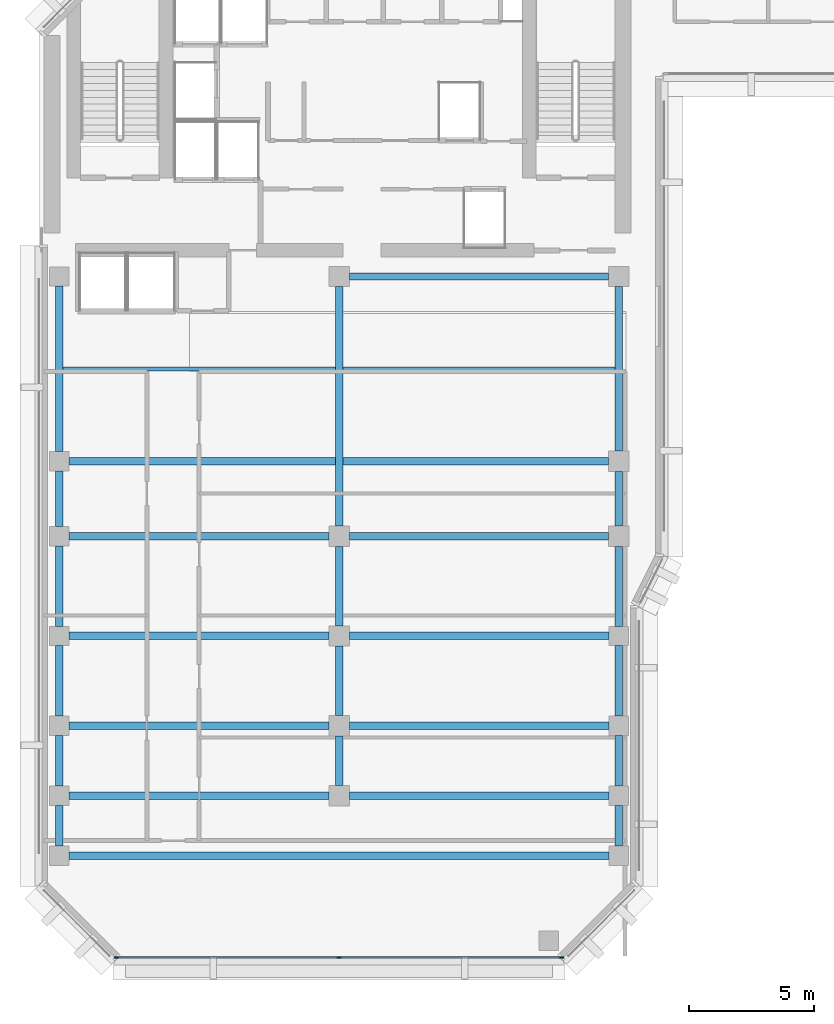
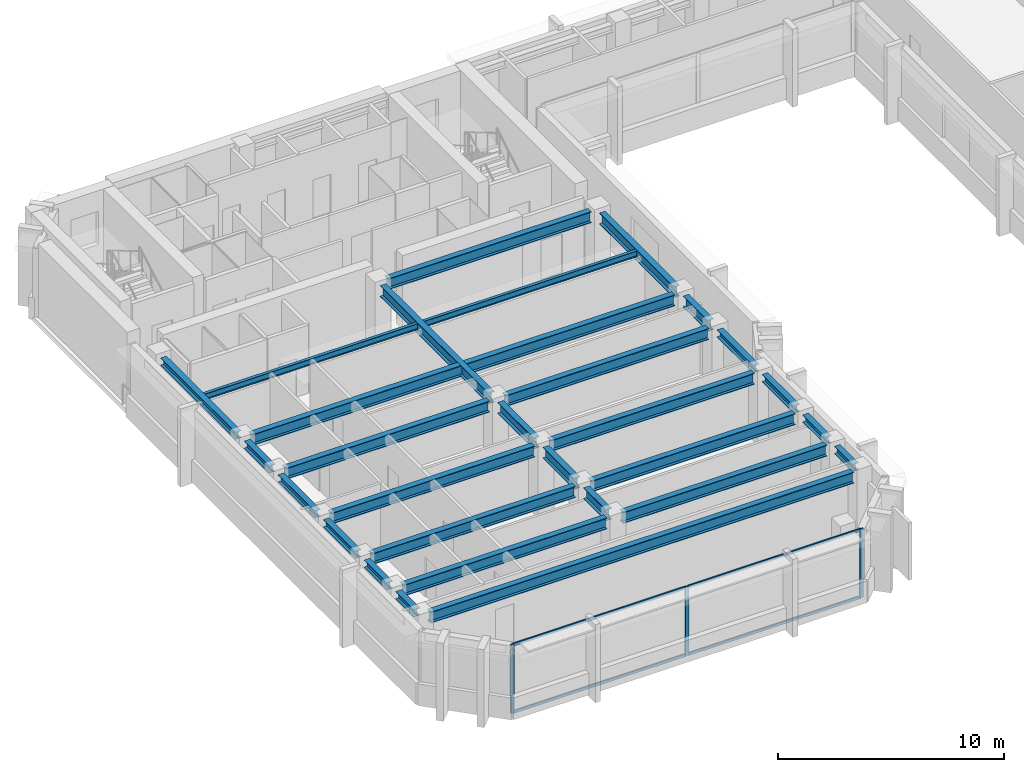
# One storey, part 2 of 12: 29 beams, 7 members, 1 element without a shape of its own.
"""IFC4 building model written with IfcOpenShell, lengths in metres."""

from ifc_helpers import new_model, si_unit, direction, frame, origin, origin_2d, place, context, subcontext, project, spatial, rectangle, i_section, extrude, material, layer, layer_set, material_profile, profile_set, type_object, element, aggregate, save


model = new_model("IFC4")

# Units and contexts
model_context = context("Model", 3, precision=1e-05, world=origin(), true_north=direction((0.0, 1.0)))
body_context = subcontext(model_context, "Body", "Model", "MODEL_VIEW")
ifc_project = project(units=[si_unit("LENGTHUNIT", "METRE"), si_unit("AREAUNIT", "SQUARE_METRE"), si_unit("VOLUMEUNIT", "CUBIC_METRE"), si_unit("PLANEANGLEUNIT", "RADIAN"), si_unit("MASSUNIT", "GRAM", prefix="KILO")], contexts=[model_context])

# Site, building, storey
site_placement = place(None, origin())
site = spatial("IfcSite", under=ifc_project, at=site_placement, CompositionType="ELEMENT")
building_placement = place(site_placement, origin())
building = spatial("IfcBuilding", under=site, at=building_placement, Name="Kefirva Bronze Tower", CompositionType="ELEMENT")
storey_placement = place(building_placement, frame((0.0, 0.0, 235.6201171875)))
storey = spatial("IfcBuildingStorey", under=building, at=storey_placement, Name="L57", CompositionType="ELEMENT", Elevation=235.6201171875)

# Curtain wall, members
ifc_material_1 = material(Name="Bronze anodised aluminium", Category="aluminium")
ifc_layer = layer(ifc_material_1, 0.179931640625, Name="Bronze anodised aluminium")
ifc_layer_set = layer_set([ifc_layer], Name="Bronze anodised aluminium")
curtain_wall_type = type_object("IfcCurtainWallType", Name="Unitised Bronze Ribbon Curtain Wall Zone 3", PredefinedType="USERDEFINED", material=ifc_layer_set)
curtain_wall_placement = place(storey_placement, origin())
curtain_wall = element("IfcCurtainWall", 1, at=curtain_wall_placement, inside=storey, type_object=curtain_wall_type, Name="L57 Curtain Wall 1", ObjectType="UNITISED CURTAIN WALL", PredefinedType="USERDEFINED")
ifc_material_profile_1 = material_profile(ifc_material_1, rectangle(XDim=0.074951171875, YDim=0.179931640625, at=origin_2d()), Name="ALU 75x180")
ifc_profile_set_1 = profile_set([ifc_material_profile_1], Name="Bronze anodised aluminium")
member_type_1 = type_object("IfcMemberType", Name="Bronze Mullion 75x180", PredefinedType="MULLION", material=ifc_profile_set_1)
member_1_placement = place(storey_placement, frame((3.092529296875, 5.919921875, 0.0), z_axis=(0.0, 0.0, 1.0), x_axis=(0.0, 1.0, 0.0)))
member_1 = element("IfcMember", 2, at=member_1_placement, type_object=member_type_1, Name="CW-03 mullion 1", PredefinedType="MULLION", context=body_context, shape_type="SweptSolid", body=[
    extrude(rectangle(XDim=0.074951171875, YDim=0.179931640625, at=origin_2d()), origin(), (0.0, 0.0, 1.0), 3.7099609375),
])
member_2_placement = place(storey_placement, frame((12.0, 5.919921875, 0.0), z_axis=(0.0, 0.0, 1.0), x_axis=(0.0, 1.0, 0.0)))
member_2 = element("IfcMember", 3, at=member_2_placement, type_object=member_type_1, Name="CW-03 mullion 2", PredefinedType="MULLION", context=body_context, shape_type="SweptSolid", body=[
    extrude(rectangle(XDim=0.074951171875, YDim=0.179931640625, at=origin_2d()), origin(), (0.0, 0.0, 1.0), 3.7099609375),
])
member_3_placement = place(storey_placement, frame((20.907470703125, 5.919921875, 0.0), z_axis=(0.0, 0.0, 1.0), x_axis=(0.0, 1.0, 0.0)))
member_3 = element("IfcMember", 4, at=member_3_placement, type_object=member_type_1, Name="CW-03 mullion 3", PredefinedType="MULLION", context=body_context, shape_type="SweptSolid", body=[
    extrude(rectangle(XDim=0.074951171875, YDim=0.179931640625, at=origin_2d()), origin(), (0.0, 0.0, 1.0), 3.7099609375),
])
ifc_material_profile_2 = material_profile(ifc_material_1, rectangle(XDim=0.074951171875, YDim=0.14990234375, at=origin_2d()), Name="ALU 75x150")
ifc_profile_set_2 = profile_set([ifc_material_profile_2], Name="Bronze anodised aluminium")
member_type_2 = type_object("IfcMemberType", Name="Bronze Transom 75x150", PredefinedType="USERDEFINED", material=ifc_profile_set_2)
member_4_placement = place(storey_placement, frame((3.1298828125, 5.919921875, 0.037353515625), z_axis=(1.0, 0.0, 0.0), x_axis=(0.0, 1.0, 0.0)))
member_4 = element("IfcMember", 5, at=member_4_placement, type_object=member_type_2, Name="CW-03 transom 1.1", ObjectType="TRANSOM", PredefinedType="USERDEFINED", context=body_context, shape_type="SweptSolid", body=[
    extrude(rectangle(XDim=0.074951171875, YDim=0.14990234375, at=origin_2d()), origin(), (0.0, 0.0, 1.0), 8.83251953125),
])
member_5_placement = place(storey_placement, frame((3.1298828125, 5.919921875, 3.67236328125), z_axis=(1.0, 0.0, 0.0), x_axis=(0.0, 1.0, 0.0)))
member_5 = element("IfcMember", 6, at=member_5_placement, type_object=member_type_2, Name="CW-03 transom 1.2", ObjectType="TRANSOM", PredefinedType="USERDEFINED", context=body_context, shape_type="SweptSolid", body=[
    extrude(rectangle(XDim=0.074951171875, YDim=0.14990234375, at=origin_2d()), origin(), (0.0, 0.0, 1.0), 8.83251953125),
])
member_6_placement = place(storey_placement, frame((12.03759765625, 5.919921875, 0.037353515625), z_axis=(1.0, 0.0, 0.0), x_axis=(0.0, 1.0, 0.0)))
member_6 = element("IfcMember", 7, at=member_6_placement, type_object=member_type_2, Name="CW-03 transom 2.1", ObjectType="TRANSOM", PredefinedType="USERDEFINED", context=body_context, shape_type="SweptSolid", body=[
    extrude(rectangle(XDim=0.074951171875, YDim=0.14990234375, at=origin_2d()), origin(), (0.0, 0.0, 1.0), 8.83251953125),
])
member_7_placement = place(storey_placement, frame((12.03759765625, 5.919921875, 3.67236328125), z_axis=(1.0, 0.0, 0.0), x_axis=(0.0, 1.0, 0.0)))
member_7 = element("IfcMember", 8, at=member_7_placement, type_object=member_type_2, Name="CW-03 transom 2.2", ObjectType="TRANSOM", PredefinedType="USERDEFINED", context=body_context, shape_type="SweptSolid", body=[
    extrude(rectangle(XDim=0.074951171875, YDim=0.14990234375, at=origin_2d()), origin(), (0.0, 0.0, 1.0), 8.83251953125),
])
aggregate(curtain_wall, [member_1, member_2, member_3, member_4, member_5, member_6, member_7])

# Beams
ifc_material_2 = material(Name="Steel S355", Category="steel")
ifc_material_profile_3 = material_profile(ifc_material_2, i_section(OverallWidth=0.159912109375, OverallDepth=0.330078125, WebThickness=0.007568359375, FlangeThickness=0.011474609375, at=origin_2d()), Name="IPE 330")
ifc_profile_set_3 = profile_set([ifc_material_profile_3], Name="Steel S355")
beam_type_1 = type_object("IfcBeamType", Name="Steel Floor Joist IPE 330", PredefinedType="JOIST", material=ifc_profile_set_3)
for number, where, z_axis, x_axis, name in (
    (9, (0.949951171875, 29.489990234375, 3.544921875), (1.0, 0.0, 0.0), (0.0, 1.0, 0.0), "L57 JST-L57-0-294"),
    (10, (12.14990234375, 29.5, 3.544921875), (1.0, 0.0, 0.0), (0.0, 1.0, 0.0), "L57 JST-L57-12-295"),
):
    element("IfcBeam", number, at=place(storey_placement, frame(where, z_axis=z_axis, x_axis=x_axis)), inside=storey, type_object=beam_type_1, Name=name, PredefinedType="JOIST", context=body_context, shape_type="SweptSolid", body=[
        extrude(i_section(OverallWidth=0.159912109375, OverallDepth=0.330078125, WebThickness=0.007568359375, FlangeThickness=0.011474609375, at=origin_2d()), origin(), (0.0, 0.0, 1.0), 10.900146484375),
    ])
ifc_material_profile_4 = material_profile(ifc_material_2, i_section(OverallWidth=0.300048828125, OverallDepth=0.60009765625, WebThickness=0.015380859375, FlangeThickness=0.030029296875, at=origin_2d()), Name="HEB 600")
ifc_profile_set_4 = profile_set([ifc_material_profile_4], Name="Steel S355")
beam_type_2 = type_object("IfcBeamType", Name="Steel Girder HEB 600", PredefinedType="USERDEFINED", material=ifc_profile_set_4)
beam_1_placement = place(storey_placement, frame((1.18994140625, 10.0, 3.409912109375), z_axis=(1.0, 0.0, 0.0), x_axis=(0.0, 1.0, 0.0)))
element("IfcBeam", 11, at=beam_1_placement, inside=storey, type_object=beam_type_2, Name="L57 BM-L57-EW-0-100", ObjectType="GIRDER", PredefinedType="USERDEFINED", context=body_context, shape_type="SweptSolid", body=[
    extrude(i_section(OverallWidth=0.300048828125, OverallDepth=0.60009765625, WebThickness=0.015380859375, FlangeThickness=0.030029296875, at=origin_2d()), origin(), (0.0, 0.0, 1.0), 21.6201171875),
])
for number, where, z_axis, x_axis, name in (
    (12, (1.18994140625, 12.39990234375, 3.409912109375), (1.0, 0.0, 0.0), (0.0, 1.0, 0.0), "L57 BM-L57-EW-0-124"),
    (13, (12.409912109375, 12.39990234375, 3.409912109375), (1.0, 0.0, 0.0), (0.0, 1.0, 0.0), "L57 BM-L57-EW-12-124"),
    (14, (1.18994140625, 15.199951171875, 3.409912109375), (1.0, 0.0, 0.0), (0.0, 1.0, 0.0), "L57 BM-L57-EW-0-152"),
    (15, (12.409912109375, 15.199951171875, 3.409912109375), (1.0, 0.0, 0.0), (0.0, 1.0, 0.0), "L57 BM-L57-EW-12-152"),
    (16, (1.18994140625, 18.800048828125, 3.409912109375), (1.0, 0.0, 0.0), (0.0, 1.0, 0.0), "L57 BM-L57-EW-0-188"),
    (17, (12.409912109375, 18.800048828125, 3.409912109375), (1.0, 0.0, 0.0), (0.0, 1.0, 0.0), "L57 BM-L57-EW-12-188"),
    (18, (1.18994140625, 22.800048828125, 3.409912109375), (1.0, 0.0, 0.0), (0.0, 1.0, 0.0), "L57 BM-L57-EW-0-228"),
):
    element("IfcBeam", number, at=place(storey_placement, frame(where, z_axis=z_axis, x_axis=x_axis)), inside=storey, type_object=beam_type_2, Name=name, ObjectType="GIRDER", PredefinedType="USERDEFINED", context=body_context, shape_type="SweptSolid", body=[
        extrude(i_section(OverallWidth=0.300048828125, OverallDepth=0.60009765625, WebThickness=0.015380859375, FlangeThickness=0.030029296875, at=origin_2d()), origin(), (0.0, 0.0, 1.0), 10.400146484375),
    ])
beam_2_placement = place(storey_placement, frame((12.409912109375, 22.800048828125, 3.409912109375), z_axis=(1.0, 0.0, 0.0), x_axis=(0.0, 1.0, 0.0)))
element("IfcBeam", 19, at=beam_2_placement, inside=storey, type_object=beam_type_2, Name="L57 BM-L57-EW-12-228", ObjectType="GIRDER", PredefinedType="USERDEFINED", context=body_context, shape_type="SweptSolid", body=[
    extrude(i_section(OverallWidth=0.300048828125, OverallDepth=0.60009765625, WebThickness=0.015380859375, FlangeThickness=0.030029296875, at=origin_2d()), origin(), (0.0, 0.0, 1.0), 10.380126953125),
])
beam_3_placement = place(storey_placement, frame((1.18994140625, 25.800048828125, 3.409912109375), z_axis=(1.0, 0.0, 0.0), x_axis=(0.0, 1.0, 0.0)))
element("IfcBeam", 20, at=beam_3_placement, inside=storey, type_object=beam_type_2, Name="L57 BM-L57-EW-0-258", ObjectType="GIRDER", PredefinedType="USERDEFINED", context=body_context, shape_type="SweptSolid", body=[
    extrude(i_section(OverallWidth=0.300048828125, OverallDepth=0.60009765625, WebThickness=0.015380859375, FlangeThickness=0.030029296875, at=origin_2d()), origin(), (0.0, 0.0, 1.0), 21.60009765625),
])
beam_4_placement = place(storey_placement, frame((12.409912109375, 33.199951171875, 3.409912109375), z_axis=(1.0, 0.0, 0.0), x_axis=(0.0, 1.0, 0.0)))
element("IfcBeam", 21, at=beam_4_placement, inside=storey, type_object=beam_type_2, Name="L57 BM-L57-EW-12-332", ObjectType="GIRDER", PredefinedType="USERDEFINED", context=body_context, shape_type="SweptSolid", body=[
    extrude(i_section(OverallWidth=0.300048828125, OverallDepth=0.60009765625, WebThickness=0.015380859375, FlangeThickness=0.030029296875, at=origin_2d()), origin(), (0.0, 0.0, 1.0), 10.380126953125),
])
beam_5_placement = place(storey_placement, frame((12.0, 12.81005859375, 3.409912109375), z_axis=(0.0, 1.0, 0.0), x_axis=(-1.0, 0.0, 0.0)))
element("IfcBeam", 22, at=beam_5_placement, inside=storey, type_object=beam_type_2, Name="L57 BM-L57-NS-120-12", ObjectType="GIRDER", PredefinedType="USERDEFINED", context=body_context, shape_type="SweptSolid", body=[
    extrude(i_section(OverallWidth=0.300048828125, OverallDepth=0.60009765625, WebThickness=0.015380859375, FlangeThickness=0.030029296875, at=origin_2d()), origin(), (0.0, 0.0, 1.0), 1.97998046875),
])
beam_6_placement = place(storey_placement, frame((12.0, 15.610107421875, 3.409912109375), z_axis=(0.0, 1.0, 0.0), x_axis=(-1.0, 0.0, 0.0)))
element("IfcBeam", 23, at=beam_6_placement, inside=storey, type_object=beam_type_2, Name="L57 BM-L57-NS-120-15", ObjectType="GIRDER", PredefinedType="USERDEFINED", context=body_context, shape_type="SweptSolid", body=[
    extrude(i_section(OverallWidth=0.300048828125, OverallDepth=0.60009765625, WebThickness=0.015380859375, FlangeThickness=0.030029296875, at=origin_2d()), origin(), (0.0, 0.0, 1.0), 2.77978515625),
])
beam_7_placement = place(storey_placement, frame((12.0, 19.2099609375, 3.409912109375), z_axis=(0.0, 1.0, 0.0), x_axis=(-1.0, 0.0, 0.0)))
element("IfcBeam", 24, at=beam_7_placement, inside=storey, type_object=beam_type_2, Name="L57 BM-L57-NS-120-18", ObjectType="GIRDER", PredefinedType="USERDEFINED", context=body_context, shape_type="SweptSolid", body=[
    extrude(i_section(OverallWidth=0.300048828125, OverallDepth=0.60009765625, WebThickness=0.015380859375, FlangeThickness=0.030029296875, at=origin_2d()), origin(), (0.0, 0.0, 1.0), 3.179931640625),
])
beam_8_placement = place(storey_placement, frame((12.0, 23.2099609375, 3.409912109375), z_axis=(0.0, 1.0, 0.0), x_axis=(-1.0, 0.0, 0.0)))
element("IfcBeam", 25, at=beam_8_placement, inside=storey, type_object=beam_type_2, Name="L57 BM-L57-NS-120-22", ObjectType="GIRDER", PredefinedType="USERDEFINED", context=body_context, shape_type="SweptSolid", body=[
    extrude(i_section(OverallWidth=0.300048828125, OverallDepth=0.60009765625, WebThickness=0.015380859375, FlangeThickness=0.030029296875, at=origin_2d()), origin(), (0.0, 0.0, 1.0), 9.580078125),
])
beam_9_placement = place(storey_placement, frame((23.199951171875, 23.2099609375, 3.409912109375), z_axis=(0.0, 1.0, 0.0), x_axis=(-1.0, 0.0, 0.0)))
element("IfcBeam", 26, at=beam_9_placement, inside=storey, type_object=beam_type_2, Name="L57 BM-L57-NS-232-22", ObjectType="GIRDER", PredefinedType="USERDEFINED", context=body_context, shape_type="SweptSolid", body=[
    extrude(i_section(OverallWidth=0.300048828125, OverallDepth=0.60009765625, WebThickness=0.015380859375, FlangeThickness=0.030029296875, at=origin_2d()), origin(), (0.0, 0.0, 1.0), 2.179931640625),
])
beam_10_placement = place(storey_placement, frame((23.199951171875, 26.2099609375, 3.409912109375), z_axis=(0.0, 1.0, 0.0), x_axis=(-1.0, 0.0, 0.0)))
element("IfcBeam", 27, at=beam_10_placement, inside=storey, type_object=beam_type_2, Name="L57 BM-L57-NS-232-25", ObjectType="GIRDER", PredefinedType="USERDEFINED", context=body_context, shape_type="SweptSolid", body=[
    extrude(i_section(OverallWidth=0.300048828125, OverallDepth=0.60009765625, WebThickness=0.015380859375, FlangeThickness=0.030029296875, at=origin_2d()), origin(), (0.0, 0.0, 1.0), 6.580078125),
])
ifc_material_profile_5 = material_profile(ifc_material_2, i_section(OverallWidth=0.300048828125, OverallDepth=0.39990234375, WebThickness=0.013427734375, FlangeThickness=0.02392578125, at=origin_2d()), Name="HEB 400")
ifc_profile_set_5 = profile_set([ifc_material_profile_5], Name="Steel S355")
beam_type_3 = type_object("IfcBeamType", Name="Steel Spandrel HEB 400 Ext", PredefinedType="SPANDREL", material=ifc_profile_set_5)
beam_11_placement = place(storey_placement, frame((0.800048828125, 10.389892578125, 3.509765625), z_axis=(0.0, 1.0, 0.0), x_axis=(-1.0, 0.0, 0.0)))
element("IfcBeam", 28, at=beam_11_placement, inside=storey, type_object=beam_type_3, Name="L57 BM-L57-NS-8-10", PredefinedType="SPANDREL", context=body_context, shape_type="SweptSolid", body=[
    extrude(i_section(OverallWidth=0.300048828125, OverallDepth=0.39990234375, WebThickness=0.013427734375, FlangeThickness=0.02392578125, at=origin_2d()), origin(), (0.0, 0.0, 1.0), 1.6201171875),
])
beam_12_placement = place(storey_placement, frame((0.800048828125, 12.7900390625, 3.509765625), z_axis=(0.0, 1.0, 0.0), x_axis=(-1.0, 0.0, 0.0)))
element("IfcBeam", 29, at=beam_12_placement, inside=storey, type_object=beam_type_3, Name="L57 BM-L57-NS-8-12", PredefinedType="SPANDREL", context=body_context, shape_type="SweptSolid", body=[
    extrude(i_section(OverallWidth=0.300048828125, OverallDepth=0.39990234375, WebThickness=0.013427734375, FlangeThickness=0.02392578125, at=origin_2d()), origin(), (0.0, 0.0, 1.0), 2.02001953125),
])
beam_13_placement = place(storey_placement, frame((0.800048828125, 15.590087890625, 3.509765625), z_axis=(0.0, 1.0, 0.0), x_axis=(-1.0, 0.0, 0.0)))
element("IfcBeam", 30, at=beam_13_placement, inside=storey, type_object=beam_type_3, Name="L57 BM-L57-NS-8-15", PredefinedType="SPANDREL", context=body_context, shape_type="SweptSolid", body=[
    extrude(i_section(OverallWidth=0.300048828125, OverallDepth=0.39990234375, WebThickness=0.013427734375, FlangeThickness=0.02392578125, at=origin_2d()), origin(), (0.0, 0.0, 1.0), 2.81982421875),
])
beam_14_placement = place(storey_placement, frame((0.800048828125, 19.18994140625, 3.509765625), z_axis=(0.0, 1.0, 0.0), x_axis=(-1.0, 0.0, 0.0)))
element("IfcBeam", 31, at=beam_14_placement, inside=storey, type_object=beam_type_3, Name="L57 BM-L57-NS-8-18", PredefinedType="SPANDREL", context=body_context, shape_type="SweptSolid", body=[
    extrude(i_section(OverallWidth=0.300048828125, OverallDepth=0.39990234375, WebThickness=0.013427734375, FlangeThickness=0.02392578125, at=origin_2d()), origin(), (0.0, 0.0, 1.0), 3.219970703125),
])
beam_15_placement = place(storey_placement, frame((0.800048828125, 23.18994140625, 3.509765625), z_axis=(0.0, 1.0, 0.0), x_axis=(-1.0, 0.0, 0.0)))
element("IfcBeam", 32, at=beam_15_placement, inside=storey, type_object=beam_type_3, Name="L57 BM-L57-NS-8-22", PredefinedType="SPANDREL", context=body_context, shape_type="SweptSolid", body=[
    extrude(i_section(OverallWidth=0.300048828125, OverallDepth=0.39990234375, WebThickness=0.013427734375, FlangeThickness=0.02392578125, at=origin_2d()), origin(), (0.0, 0.0, 1.0), 2.219970703125),
])
beam_16_placement = place(storey_placement, frame((0.800048828125, 26.18994140625, 3.509765625), z_axis=(0.0, 1.0, 0.0), x_axis=(-1.0, 0.0, 0.0)))
element("IfcBeam", 33, at=beam_16_placement, inside=storey, type_object=beam_type_3, Name="L57 BM-L57-NS-8-25", PredefinedType="SPANDREL", context=body_context, shape_type="SweptSolid", body=[
    extrude(i_section(OverallWidth=0.300048828125, OverallDepth=0.39990234375, WebThickness=0.013427734375, FlangeThickness=0.02392578125, at=origin_2d()), origin(), (0.0, 0.0, 1.0), 6.6201171875),
])
beam_17_placement = place(storey_placement, frame((23.199951171875, 10.389892578125, 3.509765625), z_axis=(0.0, 1.0, 0.0), x_axis=(-1.0, 0.0, 0.0)))
element("IfcBeam", 34, at=beam_17_placement, inside=storey, type_object=beam_type_3, Name="L57 BM-L57-NS-232-10", PredefinedType="SPANDREL", context=body_context, shape_type="SweptSolid", body=[
    extrude(i_section(OverallWidth=0.300048828125, OverallDepth=0.39990234375, WebThickness=0.013427734375, FlangeThickness=0.02392578125, at=origin_2d()), origin(), (0.0, 0.0, 1.0), 1.6201171875),
])
beam_18_placement = place(storey_placement, frame((23.199951171875, 12.7900390625, 3.509765625), z_axis=(0.0, 1.0, 0.0), x_axis=(-1.0, 0.0, 0.0)))
element("IfcBeam", 35, at=beam_18_placement, inside=storey, type_object=beam_type_3, Name="L57 BM-L57-NS-232-12", PredefinedType="SPANDREL", context=body_context, shape_type="SweptSolid", body=[
    extrude(i_section(OverallWidth=0.300048828125, OverallDepth=0.39990234375, WebThickness=0.013427734375, FlangeThickness=0.02392578125, at=origin_2d()), origin(), (0.0, 0.0, 1.0), 2.02001953125),
])
beam_19_placement = place(storey_placement, frame((23.199951171875, 15.590087890625, 3.509765625), z_axis=(0.0, 1.0, 0.0), x_axis=(-1.0, 0.0, 0.0)))
element("IfcBeam", 36, at=beam_19_placement, inside=storey, type_object=beam_type_3, Name="L57 BM-L57-NS-232-15", PredefinedType="SPANDREL", context=body_context, shape_type="SweptSolid", body=[
    extrude(i_section(OverallWidth=0.300048828125, OverallDepth=0.39990234375, WebThickness=0.013427734375, FlangeThickness=0.02392578125, at=origin_2d()), origin(), (0.0, 0.0, 1.0), 2.81982421875),
])
beam_20_placement = place(storey_placement, frame((23.199951171875, 19.18994140625, 3.509765625), z_axis=(0.0, 1.0, 0.0), x_axis=(-1.0, 0.0, 0.0)))
element("IfcBeam", 37, at=beam_20_placement, inside=storey, type_object=beam_type_3, Name="L57 BM-L57-NS-232-18", PredefinedType="SPANDREL", context=body_context, shape_type="SweptSolid", body=[
    extrude(i_section(OverallWidth=0.300048828125, OverallDepth=0.39990234375, WebThickness=0.013427734375, FlangeThickness=0.02392578125, at=origin_2d()), origin(), (0.0, 0.0, 1.0), 3.199951171875),
])

save(model, "model.ifc")
